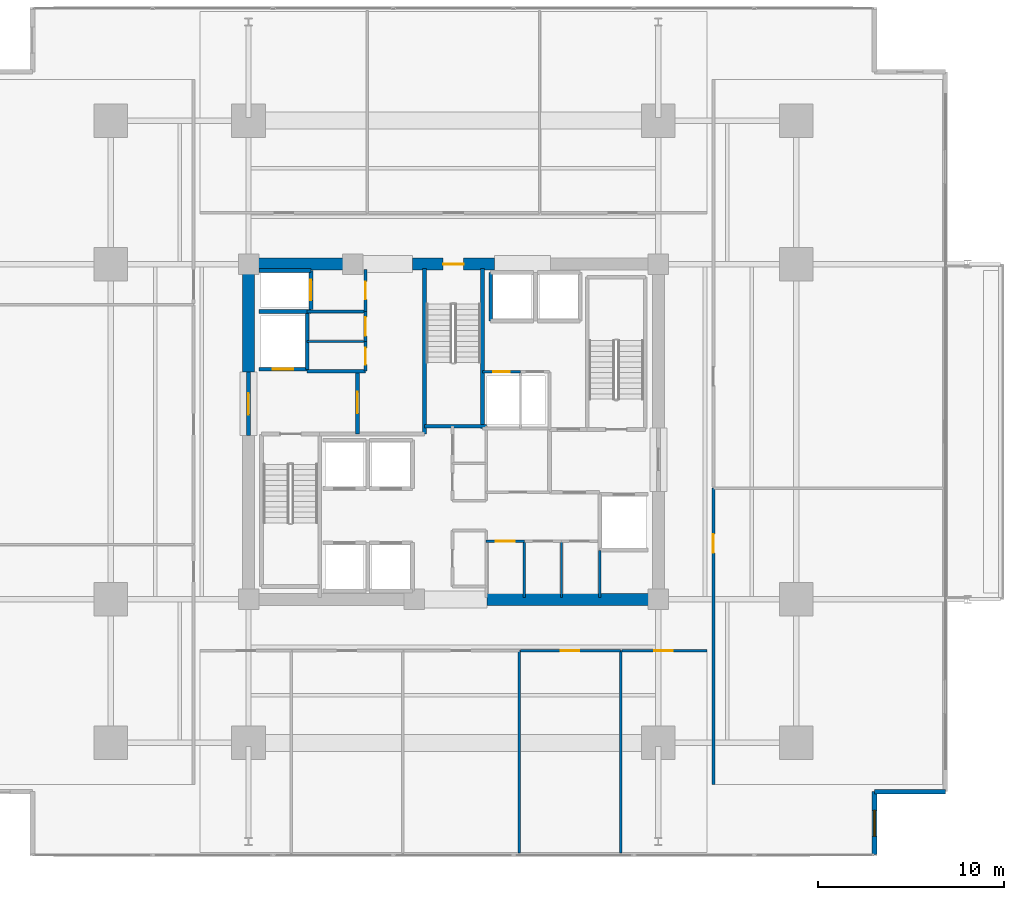
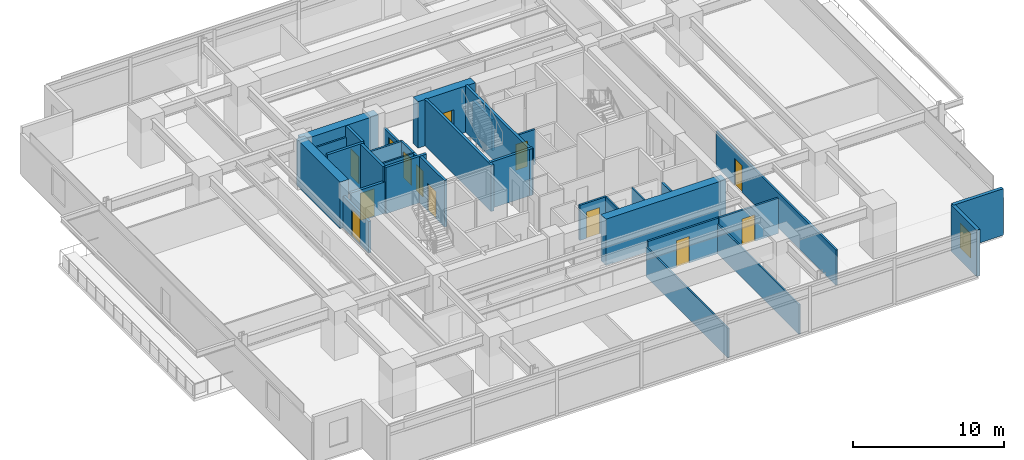
# One storey, part 16 of 22: 33 walls, 13 doors, 1 window, 14 openings.
"""IFC4 building model written with IfcOpenShell, lengths in metres."""

from ifc_helpers import new_model, si_unit, direction, frame, frame_2d, origin, place, context, subcontext, project, spatial, rectangle, extrude, material, layer, layer_set, type_object, element, fill, save


model = new_model("IFC4")

# Units and contexts
model_context = context("Model", 3, precision=1e-05, world=origin(), true_north=direction((0.0, 1.0)))
body_context = subcontext(model_context, "Body", "Model", "MODEL_VIEW")
ifc_project = project(units=[si_unit("LENGTHUNIT", "METRE"), si_unit("AREAUNIT", "SQUARE_METRE"), si_unit("VOLUMEUNIT", "CUBIC_METRE"), si_unit("PLANEANGLEUNIT", "RADIAN"), si_unit("MASSUNIT", "GRAM", prefix="KILO")], contexts=[model_context])

# Site, building, storey
site_placement = place(None, origin())
site = spatial("IfcSite", under=ifc_project, at=site_placement, CompositionType="ELEMENT")
building_placement = place(site_placement, origin())
building = spatial("IfcBuilding", under=site, at=building_placement, Name="Kovane Verandah Tower", CompositionType="ELEMENT")
storey_placement = place(building_placement, frame((0.0, 0.0, 99.60009765625)))
storey = spatial("IfcBuildingStorey", under=building, at=storey_placement, Name="L23", CompositionType="ELEMENT", Elevation=99.60009765625)

# Wall
ifc_material_1 = material(Name="Fire-Rated Gypsum Stud Partition", Category="gypsum")
ifc_layer_1 = layer(ifc_material_1, 0.14990234375)
ifc_layer_set_1 = layer_set([ifc_layer_1], Name="Fire-Rated Gypsum Stud Partition")
wall_type_1 = type_object("IfcWallType", Name="WL-COR-150", PredefinedType="PARTITIONING", material=ifc_layer_set_1)
wall_1_placement = place(storey_placement, frame((32.14990234375, 33.949951171875, 0.0), z_axis=(0.0, 0.0, 1.0), x_axis=(1.0, 0.0, 0.0)))
element("IfcWall", 1, at=wall_1_placement, inside=storey, type_object=wall_type_1, Name="L23 Goods Lift Lobby South Wall", PredefinedType="PARTITIONING", context=body_context, shape_type="SweptSolid", body=[
    extrude(rectangle(XDim=3.130126953125, YDim=0.14990234375, at=frame_2d((1.56494140625, 0.0))), origin(), (0.0, 0.0, 1.0), 2.849853515625),
])

# Wall, opening, door
wall_2_placement = place(storey_placement, frame((35.280029296875, 33.949951171875, 0.0), z_axis=(0.0, 0.0, 1.0), x_axis=(0.0, 1.0, 0.0)))
wall_2 = element("IfcWall", 2, at=wall_2_placement, inside=storey, type_object=wall_type_1, Name="L23 Goods Lift Lobby East Fire Partition", PredefinedType="PARTITIONING", context=body_context, shape_type="SweptSolid", body=[
    extrude(rectangle(XDim=2.27001953125, YDim=0.14990234375, at=frame_2d((1.135009765625, 0.0))), origin(), (0.0, 0.0, 1.0), 2.539794921875),
])
opening_1_placement = place(wall_2_placement, frame((0.659912109375, 0.0, 0.0)))
opening_1 = element("IfcOpeningElement", 3, at=opening_1_placement, cuts=wall_2, Name="Opening DR-L23-008", PredefinedType="OPENING", context=body_context, shape_type="SweptSolid", body=[
    extrude(rectangle(XDim=0.949951171875, YDim=2.14990234375, at=frame_2d((0.47509765625, 1.074951171875))), frame((0.0, 0.074951171875, 0.0), z_axis=(0.0, -1.0, 0.0), x_axis=(1.0, 0.0, 0.0)), (0.0, 0.0, 1.0), 0.14990234375),
])
ifc_material_2 = material(Name="Fire-Rated Steel Refuge and Lobby Door", Category="steel")
door_type_1 = type_object("IfcDoorType", Name="DR-FIRE-950", OperationType="SINGLE_SWING_LEFT", PredefinedType="DOOR", material=ifc_material_2)
door_1_placement = place(opening_1_placement, origin())
door_1 = element("IfcDoor", 4, at=door_1_placement, inside=storey, type_object=door_type_1, Name="L23 Goods Lift Lobby Fire Door", OperationType="SINGLE_SWING_RIGHT", OverallHeight=2.14990234375, OverallWidth=0.949951171875, PredefinedType="DOOR", context=body_context, shape_type="SweptSolid", body=[
    extrude(rectangle(XDim=0.949951171875, YDim=2.14990234375, at=frame_2d((0.47509765625, 1.074951171875))), frame((0.0, 0.02490234375, 0.0), z_axis=(0.0, -1.0, 0.0), x_axis=(1.0, 0.0, 0.0)), (0.0, 0.0, 1.0), 0.050048828125),
])
fill(opening_1, door_1)

wall_3_placement = place(storey_placement, frame((35.280029296875, 30.75, 0.0), z_axis=(0.0, 0.0, 1.0), x_axis=(0.0, 1.0, 0.0)))
wall_3 = element("IfcWall", 5, at=wall_3_placement, inside=storey, type_object=wall_type_1, Name="L23 Accessible Unisex Toilet Partition", PredefinedType="PARTITIONING", context=body_context, shape_type="SweptSolid", body=[
    extrude(rectangle(XDim=1.60009765625, YDim=0.14990234375, at=frame_2d((0.800048828125, 0.0))), origin(), (0.0, 0.0, 1.0), 2.849853515625),
])
opening_2_placement = place(wall_3_placement, frame((0.35009765625, 0.0, 0.0)))
opening_2 = element("IfcOpeningElement", 6, at=opening_2_placement, cuts=wall_3, Name="Opening DR-L23-030", PredefinedType="OPENING", context=body_context, shape_type="SweptSolid", body=[
    extrude(rectangle(XDim=0.89990234375, YDim=2.10009765625, at=frame_2d((0.449951171875, 1.050048828125))), frame((0.0, 0.074951171875, 0.0), z_axis=(0.0, -1.0, 0.0), x_axis=(1.0, 0.0, 0.0)), (0.0, 0.0, 1.0), 0.14990234375),
])
ifc_material_3 = material(Name="Moisture-Resistant Laminate Washroom Door", Category="wood")
door_type_2 = type_object("IfcDoorType", Name="DR-WC-900", OperationType="SINGLE_SWING_LEFT", PredefinedType="DOOR", material=ifc_material_3)
door_2_placement = place(opening_2_placement, origin())
door_2 = element("IfcDoor", 7, at=door_2_placement, inside=storey, type_object=door_type_2, Name="L23 Accessible Unisex Toilet Door", OperationType="SINGLE_SWING_LEFT", OverallHeight=2.10009765625, OverallWidth=0.89990234375, PredefinedType="DOOR", context=body_context, shape_type="SweptSolid", body=[
    extrude(rectangle(XDim=0.89990234375, YDim=2.10009765625, at=frame_2d((0.449951171875, 1.050048828125))), frame((0.0, 0.02490234375, 0.0), z_axis=(0.0, -1.0, 0.0), x_axis=(1.0, 0.0, 0.0)), (0.0, 0.0, 1.0), 0.050048828125),
])
fill(opening_2, door_2)

wall_4_placement = place(storey_placement, frame((35.280029296875, 32.35009765625, 0.0), z_axis=(0.0, 0.0, 1.0), x_axis=(0.0, 1.0, 0.0)))
wall_4 = element("IfcWall", 8, at=wall_4_placement, inside=storey, type_object=wall_type_1, Name="L23 North-West First Aid Room Partition", PredefinedType="PARTITIONING", context=body_context, shape_type="SweptSolid", body=[
    extrude(rectangle(XDim=1.599853515625, YDim=0.14990234375, at=frame_2d((0.7998046875, 0.0))), origin(), (0.0, 0.0, 1.0), 2.849853515625),
])
opening_3_placement = place(wall_4_placement, frame((0.300048828125, 0.0, 0.0)))
opening_3 = element("IfcOpeningElement", 9, at=opening_3_placement, cuts=wall_4, Name="Opening DR-L23-012", PredefinedType="OPENING", context=body_context, shape_type="SweptSolid", body=[
    extrude(rectangle(XDim=1.0, YDim=2.14990234375, at=frame_2d((0.5, 1.074951171875))), frame((0.0, 0.074951171875, 0.0), z_axis=(0.0, -1.0, 0.0), x_axis=(1.0, 0.0, 0.0)), (0.0, 0.0, 1.0), 0.14990234375),
])
ifc_material_4 = material(Name="FSC Spotted-Gum Timber Fire-Rated Office Door", Category="wood")
door_type_3 = type_object("IfcDoorType", Name="DR-OFF-1000", OperationType="SINGLE_SWING_LEFT", PredefinedType="DOOR", material=ifc_material_4)
door_3_placement = place(opening_3_placement, origin())
door_3 = element("IfcDoor", 10, at=door_3_placement, inside=storey, type_object=door_type_3, Name="L23 North-West First Aid Room Door", OperationType="SINGLE_SWING_RIGHT", OverallHeight=2.14990234375, OverallWidth=1.0, PredefinedType="DOOR", context=body_context, shape_type="SweptSolid", body=[
    extrude(rectangle(XDim=1.0, YDim=2.14990234375, at=frame_2d((0.5, 1.074951171875))), frame((0.0, 0.02490234375, 0.0), z_axis=(0.0, -1.0, 0.0), x_axis=(1.0, 0.0, 0.0)), (0.0, 0.0, 1.0), 0.050048828125),
])
fill(opening_3, door_3)

# Wall
wall_5_placement = place(storey_placement, frame((47.85009765625, 18.60009765625, 0.0), z_axis=(0.0, 0.0, 1.0), x_axis=(0.0, 1.0, 0.0)))
element("IfcWall", 11, at=wall_5_placement, inside=storey, type_object=wall_type_1, Name="L23 East Core Support East Wall", PredefinedType="PARTITIONING", context=body_context, shape_type="SweptSolid", body=[
    extrude(rectangle(XDim=2.539794921875, YDim=0.14990234375, at=frame_2d((1.27001953125, 0.0))), origin(), (0.0, 0.0, 1.0), 2.849853515625),
])

# Wall, opening, door
wall_6_placement = place(storey_placement, frame((41.760009765625, 21.6201171875, 0.0), z_axis=(0.0, 0.0, 1.0), x_axis=(1.0, 0.0, 0.0)))
wall_6 = element("IfcWall", 12, at=wall_6_placement, inside=storey, type_object=wall_type_1, Name="L23 Mail and Copy Room Partition", PredefinedType="PARTITIONING", context=body_context, shape_type="SweptSolid", body=[
    extrude(rectangle(XDim=2.0400390625, YDim=0.14990234375, at=frame_2d((1.02001953125, 0.0))), origin(), (0.0, 0.0, 1.0), 2.849853515625),
])
opening_4_placement = place(wall_6_placement, frame((0.52001953125, 0.0, 0.0)))
opening_4 = element("IfcOpeningElement", 13, at=opening_4_placement, cuts=wall_6, Name="Opening DR-L23-015", PredefinedType="OPENING", context=body_context, shape_type="SweptSolid", body=[
    extrude(rectangle(XDim=1.0, YDim=2.14990234375, at=frame_2d((0.5, 1.074951171875))), frame((0.0, 0.074951171875, 0.0), z_axis=(0.0, -1.0, 0.0), x_axis=(1.0, 0.0, 0.0)), (0.0, 0.0, 1.0), 0.14990234375),
])
door_4_placement = place(opening_4_placement, origin())
door_4 = element("IfcDoor", 14, at=door_4_placement, inside=storey, type_object=door_type_3, Name="L23 Mail and Copy Room Door", OperationType="SINGLE_SWING_LEFT", OverallHeight=2.14990234375, OverallWidth=1.0, PredefinedType="DOOR", context=body_context, shape_type="SweptSolid", body=[
    extrude(rectangle(XDim=1.0, YDim=2.14990234375, at=frame_2d((0.5, 1.074951171875))), frame((0.0, 0.02490234375, 0.0), z_axis=(0.0, -1.0, 0.0), x_axis=(1.0, 0.0, 0.0)), (0.0, 0.0, 1.0), 0.050048828125),
])
fill(opening_4, door_4)

wall_7_placement = place(storey_placement, frame((41.56005859375, 30.719970703125, 0.0), z_axis=(0.0, 0.0, 1.0), x_axis=(1.0, 0.0, 0.0)))
wall_7 = element("IfcWall", 15, at=wall_7_placement, inside=storey, type_object=wall_type_1, Name="L23 Electrical Sub-Main Riser Room Partition", PredefinedType="PARTITIONING", context=body_context, shape_type="SweptSolid", body=[
    extrude(rectangle(XDim=2.0400390625, YDim=0.14990234375, at=frame_2d((1.02001953125, 0.0))), origin(), (0.0, 0.0, 1.0), 2.849853515625),
])
opening_5_placement = place(wall_7_placement, frame((0.580078125, 0.0, 0.0)))
opening_5 = element("IfcOpeningElement", 16, at=opening_5_placement, cuts=wall_7, Name="Opening DR-L23-019", PredefinedType="OPENING", context=body_context, shape_type="SweptSolid", body=[
    extrude(rectangle(XDim=0.8798828125, YDim=2.10009765625, at=frame_2d((0.43994140625, 1.050048828125))), frame((0.0, 0.074951171875, 0.0), z_axis=(0.0, -1.0, 0.0), x_axis=(1.0, 0.0, 0.0)), (0.0, 0.0, 1.0), 0.14990234375),
])
ifc_material_5 = material(Name="Fire-Rated Steel Riser Access Door", Category="steel")
door_type_4 = type_object("IfcDoorType", Name="DR-RISER-880", OperationType="SINGLE_SWING_LEFT", PredefinedType="DOOR", material=ifc_material_5)
door_5_placement = place(opening_5_placement, origin())
door_5 = element("IfcDoor", 17, at=door_5_placement, inside=storey, type_object=door_type_4, Name="L23 Electrical Sub-Main Riser Room Door", OperationType="SINGLE_SWING_LEFT", OverallHeight=2.10009765625, OverallWidth=0.8798828125, PredefinedType="DOOR", context=body_context, shape_type="SweptSolid", body=[
    extrude(rectangle(XDim=0.8798828125, YDim=2.10009765625, at=frame_2d((0.43994140625, 1.050048828125))), frame((0.0, 0.02490234375, 0.0), z_axis=(0.0, -1.0, 0.0), x_axis=(1.0, 0.0, 0.0)), (0.0, 0.0, 1.0), 0.050048828125),
])
fill(opening_5, door_5)

wall_8_placement = place(storey_placement, frame((43.60595703125, 15.75, 0.0), z_axis=(0.0, 0.0, 1.0), x_axis=(1.0, 0.0, 0.0)))
wall_8 = element("IfcWall", 18, at=wall_8_placement, inside=storey, type_object=wall_type_1, Name="L23 Collaboration Hub S4 Corridor Partition", PredefinedType="PARTITIONING", context=body_context, shape_type="SweptSolid", body=[
    extrude(rectangle(XDim=5.3701171875, YDim=0.14990234375, at=frame_2d((2.68505859375, 0.0))), origin(), (0.0, 0.0, 1.0), 2.849853515625),
])
opening_6_placement = place(wall_8_placement, frame((2.14990234375, 0.0, 0.0)))
opening_6 = element("IfcOpeningElement", 19, at=opening_6_placement, cuts=wall_8, Name="Opening DR-L23-027", PredefinedType="OPENING", context=body_context, shape_type="SweptSolid", body=[
    extrude(rectangle(XDim=1.0, YDim=2.14990234375, at=frame_2d((0.5, 1.074951171875))), frame((0.0, 0.074951171875, 0.0), z_axis=(0.0, -1.0, 0.0), x_axis=(1.0, 0.0, 0.0)), (0.0, 0.0, 1.0), 0.14990234375),
])
door_6_placement = place(opening_6_placement, origin())
door_6 = element("IfcDoor", 20, at=door_6_placement, inside=storey, type_object=door_type_3, Name="L23 Collaboration Hub S4 Entrance Door", OperationType="SINGLE_SWING_LEFT", OverallHeight=2.14990234375, OverallWidth=1.0, PredefinedType="DOOR", context=body_context, shape_type="SweptSolid", body=[
    extrude(rectangle(XDim=1.0, YDim=2.14990234375, at=frame_2d((0.5, 1.074951171875))), frame((0.0, 0.02490234375, 0.0), z_axis=(0.0, -1.0, 0.0), x_axis=(1.0, 0.0, 0.0)), (0.0, 0.0, 1.0), 0.050048828125),
])
fill(opening_6, door_6)

wall_9_placement = place(storey_placement, frame((49.0458984375, 15.75, 0.0), z_axis=(0.0, 0.0, 1.0), x_axis=(1.0, 0.0, 0.0)))
wall_9 = element("IfcWall", 21, at=wall_9_placement, inside=storey, type_object=wall_type_1, Name="L23 Document and Print Room S5 Corridor Partition", PredefinedType="PARTITIONING", context=body_context, shape_type="SweptSolid", body=[
    extrude(rectangle(XDim=4.55419921875, YDim=0.14990234375, at=frame_2d((2.277099609375, 0.0))), origin(), (0.0, 0.0, 1.0), 2.849853515625),
])
opening_7_placement = place(wall_9_placement, frame((1.72705078125, 0.0, 0.0)))
opening_7 = element("IfcOpeningElement", 22, at=opening_7_placement, cuts=wall_9, Name="Opening DR-L23-028", PredefinedType="OPENING", context=body_context, shape_type="SweptSolid", body=[
    extrude(rectangle(XDim=1.0, YDim=2.14990234375, at=frame_2d((0.5, 1.074951171875))), frame((0.0, 0.074951171875, 0.0), z_axis=(0.0, -1.0, 0.0), x_axis=(1.0, 0.0, 0.0)), (0.0, 0.0, 1.0), 0.14990234375),
])
door_7_placement = place(opening_7_placement, origin())
door_7 = element("IfcDoor", 23, at=door_7_placement, inside=storey, type_object=door_type_3, Name="L23 Document and Print Room S5 Entrance Door", OperationType="SINGLE_SWING_RIGHT", OverallHeight=2.14990234375, OverallWidth=1.0, PredefinedType="DOOR", context=body_context, shape_type="SweptSolid", body=[
    extrude(rectangle(XDim=1.0, YDim=2.14990234375, at=frame_2d((0.5, 1.074951171875))), frame((0.0, 0.02490234375, 0.0), z_axis=(0.0, -1.0, 0.0), x_axis=(1.0, 0.0, 0.0)), (0.0, 0.0, 1.0), 0.050048828125),
])
fill(opening_7, door_7)

wall_10_placement = place(storey_placement, frame((53.949951171875, 8.5810546875, 0.0), z_axis=(0.0, 0.0, 1.0), x_axis=(0.0, 1.0, 0.0)))
wall_10 = element("IfcWall", 24, at=wall_10_placement, inside=storey, type_object=wall_type_1, Name="L23 Meeting Room E1 Corridor Partition", PredefinedType="PARTITIONING", context=body_context, shape_type="SweptSolid", body=[
    extrude(rectangle(XDim=15.891845703125, YDim=0.14990234375, at=frame_2d((7.94580078125, 0.0))), origin(), (0.0, 0.0, 1.0), 2.849853515625),
])
opening_8_placement = place(wall_10_placement, frame((12.42041015625, 0.0, 0.0)))
opening_8 = element("IfcOpeningElement", 25, at=opening_8_placement, cuts=wall_10, Name="Opening DR-L23-013", PredefinedType="OPENING", context=body_context, shape_type="SweptSolid", body=[
    extrude(rectangle(XDim=1.0, YDim=2.14990234375, at=frame_2d((0.5, 1.074951171875))), frame((0.0, 0.074951171875, 0.0), z_axis=(0.0, -1.0, 0.0), x_axis=(1.0, 0.0, 0.0)), (0.0, 0.0, 1.0), 0.14990234375),
])
door_8_placement = place(opening_8_placement, origin())
door_8 = element("IfcDoor", 26, at=door_8_placement, inside=storey, type_object=door_type_3, Name="L23 Meeting Room E1 Entrance Door", OperationType="SINGLE_SWING_RIGHT", OverallHeight=2.14990234375, OverallWidth=1.0, PredefinedType="DOOR", context=body_context, shape_type="SweptSolid", body=[
    extrude(rectangle(XDim=1.0, YDim=2.14990234375, at=frame_2d((0.5, 1.074951171875))), frame((0.0, 0.02490234375, 0.0), z_axis=(0.0, -1.0, 0.0), x_axis=(1.0, 0.0, 0.0)), (0.0, 0.0, 1.0), 0.050048828125),
])
fill(opening_8, door_8)

# Walls
ifc_material_6 = material(Name="Concrete C80/95", Category="concrete")
ifc_layer_2 = layer(ifc_material_6, 0.64990234375)
ifc_layer_set_2 = layer_set([ifc_layer_2], Name="Concrete C80/95")
wall_type_2 = type_object("IfcWallType", Name="WL-CORE-650", PredefinedType="SHEAR", material=ifc_layer_set_2)
wall_11_placement = place(storey_placement, frame((41.800048828125, 18.5, 0.0), z_axis=(0.0, 0.0, 1.0), x_axis=(1.0, 0.0, 0.0)))
element("IfcWall", 27, at=wall_11_placement, inside=storey, type_object=wall_type_2, Name="L23 Core Shear Wall CS-2", PredefinedType="SHEAR", context=body_context, shape_type="SweptSolid", body=[
    extrude(rectangle(XDim=9.199951171875, YDim=0.64990234375, at=frame_2d((4.60009765625, 0.0))), origin(), (0.0, 0.0, 1.0), 3.760009765625),
])
wall_12_placement = place(storey_placement, frame((29.0, 36.5, 0.0), z_axis=(0.0, 0.0, 1.0), x_axis=(1.0, 0.0, 0.0)))
element("IfcWall", 28, at=wall_12_placement, inside=storey, type_object=wall_type_2, Name="L23 Core Shear Wall CN-1", PredefinedType="SHEAR", context=body_context, shape_type="SweptSolid", body=[
    extrude(rectangle(XDim=5.800048828125, YDim=0.64990234375, at=frame_2d((2.89990234375, 0.0))), origin(), (0.0, 0.0, 1.0), 3.760009765625),
])

# Wall, opening, door
wall_13_placement = place(storey_placement, frame((37.800048828125, 36.5, 0.0), z_axis=(0.0, 0.0, 1.0), x_axis=(1.0, 0.0, 0.0)))
wall_13 = element("IfcWall", 29, at=wall_13_placement, inside=storey, type_object=wall_type_2, Name="L23 Core Shear Wall CN-2", PredefinedType="SHEAR", context=body_context, shape_type="SweptSolid", body=[
    extrude(rectangle(XDim=4.39990234375, YDim=0.64990234375, at=frame_2d((2.199951171875, 0.0))), origin(), (0.0, 0.0, 1.0), 3.760009765625),
])
opening_9_placement = place(wall_13_placement, frame((1.64990234375, 0.0, 0.0)))
opening_9 = element("IfcOpeningElement", 30, at=opening_9_placement, cuts=wall_13, Name="Opening DR-L23-011", PredefinedType="OPENING", context=body_context, shape_type="SweptSolid", body=[
    extrude(rectangle(XDim=1.10009765625, YDim=2.14990234375, at=frame_2d((0.550048828125, 1.074951171875))), frame((0.0, 0.324951171875, 0.0), z_axis=(0.0, -1.0, 0.0), x_axis=(1.0, 0.0, 0.0)), (0.0, 0.0, 1.0), 0.64990234375),
])
ifc_material_7 = material(Name="Fire-Rated Steel Exit Door", Category="steel")
door_type_5 = type_object("IfcDoorType", Name="DR-STAIR-1100", OperationType="SINGLE_SWING_LEFT", PredefinedType="DOOR", material=ifc_material_7)
door_9_placement = place(opening_9_placement, origin())
door_9 = element("IfcDoor", 31, at=door_9_placement, inside=storey, type_object=door_type_5, Name="L23 ST-03 Fire Exit Stair Door", OperationType="SINGLE_SWING_RIGHT", OverallHeight=2.14990234375, OverallWidth=1.10009765625, PredefinedType="DOOR", context=body_context, shape_type="SweptSolid", body=[
    extrude(rectangle(XDim=1.10009765625, YDim=2.14990234375, at=frame_2d((0.550048828125, 1.074951171875))), frame((0.0, 0.02490234375, 0.0), z_axis=(0.0, -1.0, 0.0), x_axis=(1.0, 0.0, 0.0)), (0.0, 0.0, 1.0), 0.050048828125),
])
fill(opening_9, door_9)

# Wall
wall_14_placement = place(storey_placement, frame((29.0, 30.699951171875, 0.0), z_axis=(0.0, 0.0, 1.0), x_axis=(0.0, 1.0, 0.0)))
element("IfcWall", 32, at=wall_14_placement, inside=storey, type_object=wall_type_2, Name="L23 Core Shear Wall CW-2", PredefinedType="SHEAR", context=body_context, shape_type="SweptSolid", body=[
    extrude(rectangle(XDim=5.800048828125, YDim=0.64990234375, at=frame_2d((2.89990234375, 0.0))), origin(), (0.0, 0.0, 1.0), 3.760009765625),
])

# Wall, opening, door
ifc_material_8 = material(Name="Concrete C45/55 Fire Wall", Category="concrete")
ifc_layer_3 = layer(ifc_material_8, 0.199951171875)
ifc_layer_set_3 = layer_set([ifc_layer_3], Name="Concrete C45/55 Fire Wall")
wall_type_3 = type_object("IfcWallType", Name="WL-FFL-200", PredefinedType="PARTITIONING", material=ifc_layer_set_3)
wall_15_placement = place(storey_placement, frame((34.85009765625, 27.3798828125, 0.0), z_axis=(0.0, 0.0, 1.0), x_axis=(0.0, 1.0, 0.0)))
wall_15 = element("IfcWall", 33, at=wall_15_placement, inside=storey, type_object=wall_type_3, Name="W-L23-FFLW-E", PredefinedType="PARTITIONING", context=body_context, shape_type="SweptSolid", body=[
    extrude(rectangle(XDim=3.3701171875, YDim=0.199951171875, at=frame_2d((1.68505859375, 0.0))), origin(), (0.0, 0.0, 1.0), 3.760009765625),
])
opening_10_placement = place(wall_15_placement, frame((1.110107421875, 0.0, 0.0)))
opening_10 = element("IfcOpeningElement", 34, at=opening_10_placement, cuts=wall_15, Name="Opening DR-L23-006", PredefinedType="OPENING", context=body_context, shape_type="SweptSolid", body=[
    extrude(rectangle(XDim=1.14990234375, YDim=2.199951171875, at=frame_2d((0.574951171875, 1.10009765625))), frame((0.0, 0.10009765625, 0.0), z_axis=(0.0, -1.0, 0.0), x_axis=(1.0, 0.0, 0.0)), (0.0, 0.0, 1.0), 0.199951171875),
])
ifc_material_9 = material(Name="Smoke-Sealed Firefighting Lobby Door", Category="steel")
door_type_6 = type_object("IfcDoorType", Name="DR-FFL-1150", OperationType="SINGLE_SWING_LEFT", PredefinedType="DOOR", material=ifc_material_9)
door_10_placement = place(opening_10_placement, origin())
door_10 = element("IfcDoor", 35, at=door_10_placement, inside=storey, type_object=door_type_6, Name="L23 West Firefighting Lobby Inner Door", OperationType="SINGLE_SWING_LEFT", OverallHeight=2.199951171875, OverallWidth=1.14990234375, PredefinedType="DOOR", context=body_context, shape_type="SweptSolid", body=[
    extrude(rectangle(XDim=1.14990234375, YDim=2.199951171875, at=frame_2d((0.574951171875, 1.10009765625))), frame((0.0, 0.02490234375, 0.0), z_axis=(0.0, -1.0, 0.0), x_axis=(1.0, 0.0, 0.0)), (0.0, 0.0, 1.0), 0.050048828125),
])
fill(opening_10, door_10)

wall_16_placement = place(storey_placement, frame((29.0, 27.300048828125, 0.0), z_axis=(0.0, 0.0, 1.0), x_axis=(0.0, 1.0, 0.0)))
wall_16 = element("IfcWall", 36, at=wall_16_placement, inside=storey, type_object=wall_type_3, Name="W-L23-FFLW-OUT", PredefinedType="PARTITIONING", context=body_context, shape_type="SweptSolid", body=[
    extrude(rectangle(XDim=3.39990234375, YDim=0.199951171875, at=frame_2d((1.699951171875, 0.0))), origin(), (0.0, 0.0, 1.0), 2.539794921875),
])
opening_11_placement = place(wall_16_placement, frame((1.125, 0.0, 0.0)))
opening_11 = element("IfcOpeningElement", 37, at=opening_11_placement, cuts=wall_16, Name="Opening DR-L23-007", PredefinedType="OPENING", context=body_context, shape_type="SweptSolid", body=[
    extrude(rectangle(XDim=1.14990234375, YDim=2.199951171875, at=frame_2d((0.574951171875, 1.10009765625))), frame((0.0, 0.10009765625, 0.0), z_axis=(0.0, -1.0, 0.0), x_axis=(1.0, 0.0, 0.0)), (0.0, 0.0, 1.0), 0.199951171875),
])
door_11_placement = place(opening_11_placement, origin())
door_11 = element("IfcDoor", 38, at=door_11_placement, inside=storey, type_object=door_type_6, Name="L23 West Firefighting Lobby Corridor Door", OperationType="SINGLE_SWING_RIGHT", OverallHeight=2.199951171875, OverallWidth=1.14990234375, PredefinedType="DOOR", context=body_context, shape_type="SweptSolid", body=[
    extrude(rectangle(XDim=1.14990234375, YDim=2.199951171875, at=frame_2d((0.574951171875, 1.10009765625))), frame((0.0, 0.02490234375, 0.0), z_axis=(0.0, -1.0, 0.0), x_axis=(1.0, 0.0, 0.0)), (0.0, 0.0, 1.0), 0.050048828125),
])
fill(opening_11, door_11)

# Wall
wall_17_placement = place(storey_placement, frame((32.14990234375, 30.75, 0.0), z_axis=(0.0, 0.0, 1.0), x_axis=(1.0, 0.0, 0.0)))
element("IfcWall", 39, at=wall_17_placement, inside=storey, type_object=wall_type_3, Name="L23 West Firefighting Lobby North Fire Wall", PredefinedType="PARTITIONING", context=body_context, shape_type="SweptSolid", body=[
    extrude(rectangle(XDim=3.130126953125, YDim=0.199951171875, at=frame_2d((1.56494140625, 0.0))), origin(), (0.0, 0.0, 1.0), 3.760009765625),
])

# Wall, opening, door
ifc_material_10 = material(Name="Concrete C45/55 Lift Shaft Wall", Category="concrete")
ifc_layer_4 = layer(ifc_material_10, 0.199951171875)
ifc_layer_set_4 = layer_set([ifc_layer_4], Name="Concrete C45/55 Lift Shaft Wall")
wall_type_4 = type_object("IfcWallType", Name="WL-LIFT-200", PredefinedType="SOLIDWALL", material=ifc_layer_set_4)
wall_18_placement = place(storey_placement, frame((29.550048828125, 30.85009765625, 0.0), z_axis=(0.0, 0.0, 1.0), x_axis=(1.0, 0.0, 0.0)))
wall_18 = element("IfcWall", 40, at=wall_18_placement, inside=storey, type_object=wall_type_4, Name="L23 Lift FL-01 S Shaft Wall", PredefinedType="SOLIDWALL", context=body_context, shape_type="SweptSolid", body=[
    extrude(rectangle(XDim=2.599853515625, YDim=0.199951171875, at=frame_2d((1.2998046875, 0.0))), origin(), (0.0, 0.0, 1.0), 2.539794921875),
])
opening_12_placement = place(wall_18_placement, frame((0.75, 0.0, 0.0)))
opening_12 = element("IfcOpeningElement", 41, at=opening_12_placement, cuts=wall_18, Name="Opening LD-L23-001", PredefinedType="OPENING", context=body_context, shape_type="SweptSolid", body=[
    extrude(rectangle(XDim=1.10009765625, YDim=2.199951171875, at=frame_2d((0.550048828125, 1.10009765625))), frame((0.0, 0.10009765625, 0.0), z_axis=(0.0, -1.0, 0.0), x_axis=(1.0, 0.0, 0.0)), (0.0, 0.0, 1.0), 0.199951171875),
])
ifc_material_11 = material(Name="Brushed Stainless Steel Sliding Lift Landing Door", Category="steel")
door_type_7 = type_object("IfcDoorType", Name="DR-LIFT-1100", OperationType="SLIDING_TO_RIGHT", PredefinedType="DOOR", material=ifc_material_11)
door_12_placement = place(opening_12_placement, origin())
door_12 = element("IfcDoor", 42, at=door_12_placement, inside=storey, type_object=door_type_7, Name="L23 Lift FL-01 Sliding Landing Door", OperationType="SLIDING_TO_RIGHT", OverallHeight=2.199951171875, OverallWidth=1.10009765625, PredefinedType="DOOR", context=body_context, shape_type="SweptSolid", body=[
    extrude(rectangle(XDim=1.10009765625, YDim=2.199951171875, at=frame_2d((0.550048828125, 1.10009765625))), frame((0.0, 0.02490234375, 0.0), z_axis=(0.0, -1.0, 0.0), x_axis=(1.0, 0.0, 0.0)), (0.0, 0.0, 1.0), 0.050048828125),
])
fill(opening_12, door_12)

# Walls
wall_19_placement = place(storey_placement, frame((29.550048828125, 33.949951171875, 0.0), z_axis=(0.0, 0.0, 1.0), x_axis=(1.0, 0.0, 0.0)))
element("IfcWall", 43, at=wall_19_placement, inside=storey, type_object=wall_type_4, Name="L23 Lift FL-01 and GL-01 Shared Shaft Wall", PredefinedType="SOLIDWALL", context=body_context, shape_type="SweptSolid", body=[
    extrude(rectangle(XDim=2.800048828125, YDim=0.199951171875, at=frame_2d((1.39990234375, 0.0))), origin(), (0.0, 0.0, 1.0), 3.760009765625),
])
wall_20_placement = place(storey_placement, frame((32.14990234375, 30.85009765625, 0.0), z_axis=(0.0, 0.0, 1.0), x_axis=(0.0, 1.0, 0.0)))
element("IfcWall", 44, at=wall_20_placement, inside=storey, type_object=wall_type_4, Name="L23 Lift FL-01 E Shaft Wall", PredefinedType="SOLIDWALL", context=body_context, shape_type="SweptSolid", body=[
    extrude(rectangle(XDim=3.0, YDim=0.199951171875, at=frame_2d((1.5, 0.0))), origin(), (0.0, 0.0, 1.0), 3.760009765625),
])
wall_21_placement = place(storey_placement, frame((32.35009765625, 36.14990234375, 0.0), z_axis=(0.0, 0.0, 1.0), x_axis=(-1.0, 0.0, 0.0)))
element("IfcWall", 45, at=wall_21_placement, inside=storey, type_object=wall_type_4, Name="L23 Lift GL-01 N Shaft Wall", PredefinedType="SOLIDWALL", context=body_context, shape_type="SweptSolid", body=[
    extrude(rectangle(XDim=2.800048828125, YDim=0.199951171875, at=frame_2d((1.39990234375, 0.0))), origin(), (0.0, 0.0, 1.0), 2.88916015625),
])

# Wall, opening, door
wall_22_placement = place(storey_placement, frame((32.35009765625, 34.050048828125, 0.0), z_axis=(0.0, 0.0, 1.0), x_axis=(0.0, 1.0, 0.0)))
wall_22 = element("IfcWall", 46, at=wall_22_placement, inside=storey, type_object=wall_type_4, Name="L23 Lift GL-01 E Shaft Wall", PredefinedType="SOLIDWALL", context=body_context, shape_type="SweptSolid", body=[
    extrude(rectangle(XDim=2.099853515625, YDim=0.199951171875, at=frame_2d((1.0498046875, 0.0))), origin(), (0.0, 0.0, 1.0), 3.760009765625),
])
opening_13_placement = place(wall_22_placement, frame((0.5, 0.0, 0.0)))
opening_13 = element("IfcOpeningElement", 47, at=opening_13_placement, cuts=wall_22, Name="Opening LD-L23-003", PredefinedType="OPENING", context=body_context, shape_type="SweptSolid", body=[
    extrude(rectangle(XDim=1.10009765625, YDim=2.199951171875, at=frame_2d((0.550048828125, 1.10009765625))), frame((0.0, 0.10009765625, 0.0), z_axis=(0.0, -1.0, 0.0), x_axis=(1.0, 0.0, 0.0)), (0.0, 0.0, 1.0), 0.199951171875),
])
door_13_placement = place(opening_13_placement, origin())
door_13 = element("IfcDoor", 48, at=door_13_placement, inside=storey, type_object=door_type_7, Name="L23 Lift GL-01 Sliding Landing Door", OperationType="SLIDING_TO_RIGHT", OverallHeight=2.199951171875, OverallWidth=1.10009765625, PredefinedType="DOOR", context=body_context, shape_type="SweptSolid", body=[
    extrude(rectangle(XDim=1.10009765625, YDim=2.199951171875, at=frame_2d((0.550048828125, 1.10009765625))), frame((0.0, 0.02490234375, 0.0), z_axis=(0.0, -1.0, 0.0), x_axis=(1.0, 0.0, 0.0)), (0.0, 0.0, 1.0), 0.050048828125),
])
fill(opening_13, door_13)

# Walls
wall_23_placement = place(storey_placement, frame((42.0, 36.050048828125, 0.0), z_axis=(0.0, 0.0, 1.0), x_axis=(0.0, -1.0, 0.0)))
element("IfcWall", 49, at=wall_23_placement, inside=storey, type_object=wall_type_4, Name="L23 Lift SL-01 W Shaft Wall", PredefinedType="SOLIDWALL", context=body_context, shape_type="SweptSolid", body=[
    extrude(rectangle(XDim=2.60009765625, YDim=0.199951171875, at=frame_2d((1.300048828125, 0.0))), origin(), (0.0, 0.0, 1.0), 2.539794921875),
])
ifc_material_12 = material(Name="Acoustic Fire-Rated Gypsum Partition", Category="gypsum")
ifc_layer_5 = layer(ifc_material_12, 0.1201171875)
ifc_layer_set_5 = layer_set([ifc_layer_5], Name="Acoustic Fire-Rated Gypsum Partition")
wall_type_5 = type_object("IfcWallType", Name="WL-PART-120", PredefinedType="PARTITIONING", material=ifc_layer_set_5)
wall_24_placement = place(storey_placement, frame((32.14990234375, 32.35009765625, 0.0), z_axis=(0.0, 0.0, 1.0), x_axis=(1.0, 0.0, 0.0)))
element("IfcWall", 50, at=wall_24_placement, inside=storey, type_object=wall_type_5, Name="L23 Accessible Washroom and Support Dividing Partition", PredefinedType="PARTITIONING", context=body_context, shape_type="SweptSolid", body=[
    extrude(rectangle(XDim=3.130126953125, YDim=0.1201171875, at=frame_2d((1.56494140625, 0.0))), origin(), (0.0, 0.0, 1.0), 2.849853515625),
])
for number, where, z_axis, x_axis, name in (
    (51, (43.800048828125, 18.60009765625, 0.0), (0.0, 0.0, 1.0), (0.0, 1.0, 0.0), "L23 East Core Support Dividing Partition 1"),
    (52, (45.800048828125, 18.60009765625, 0.0), (0.0, 0.0, 1.0), (0.0, 1.0, 0.0), "L23 East Core Support Dividing Partition 2"),
):
    element("IfcWall", number, at=place(storey_placement, frame(where, z_axis=z_axis, x_axis=x_axis)), inside=storey, type_object=wall_type_5, Name=name, PredefinedType="PARTITIONING", context=body_context, shape_type="SweptSolid", body=[
        extrude(rectangle(XDim=3.02001953125, YDim=0.1201171875, at=frame_2d((1.510009765625, 0.0))), origin(), (0.0, 0.0, 1.0), 2.849853515625),
    ])
for number, where, z_axis, x_axis, name in (
    (53, (43.535888671875, 4.881103515625, 0.0), (0.0, 0.0, 1.0), (0.0, 1.0, 0.0), "L23 Breakout Pantry S3 Dividing Partition"),
    (54, (48.97607421875, 4.881103515625, 0.0), (0.0, 0.0, 1.0), (0.0, 1.0, 0.0), "L23 Collaboration Hub S4 Dividing Partition"),
):
    element("IfcWall", number, at=place(storey_placement, frame(where, z_axis=z_axis, x_axis=x_axis)), inside=storey, type_object=wall_type_5, Name=name, PredefinedType="PARTITIONING", context=body_context, shape_type="SweptSolid", body=[
        extrude(rectangle(XDim=10.868896484375, YDim=0.1201171875, at=frame_2d((5.4345703125, 0.0))), origin(), (0.0, 0.0, 1.0), 2.389892578125),
    ])
ifc_material_13 = material(Name="Concrete C45/55", Category="concrete")
ifc_layer_6 = layer(ifc_material_13, 0.199951171875)
ifc_layer_set_6 = layer_set([ifc_layer_6], Name="Concrete C45/55")
wall_type_6 = type_object("IfcWallType", Name="WL-SHAFT-200", PredefinedType="SOLIDWALL", material=ifc_layer_set_6)
wall_25_placement = place(storey_placement, frame((38.43994140625, 27.3798828125, 0.0), z_axis=(0.0, 0.0, 1.0), x_axis=(0.0, 1.0, 0.0)))
element("IfcWall", 55, at=wall_25_placement, inside=storey, type_object=wall_type_6, Name="W-L23-ST03-W", PredefinedType="SOLIDWALL", context=body_context, shape_type="SweptSolid", body=[
    extrude(rectangle(XDim=8.8701171875, YDim=0.199951171875, at=frame_2d((4.43505859375, 0.0))), origin(), (0.0, 0.0, 1.0), 3.760009765625),
])
wall_26_placement = place(storey_placement, frame((41.56005859375, 27.679931640625, 0.0), z_axis=(0.0, 0.0, 1.0), x_axis=(0.0, 1.0, 0.0)))
element("IfcWall", 56, at=wall_26_placement, inside=storey, type_object=wall_type_6, Name="W-L23-ST03-E", PredefinedType="SOLIDWALL", context=body_context, shape_type="SweptSolid", body=[
    extrude(rectangle(XDim=8.570068359375, YDim=0.199951171875, at=frame_2d((4.28515625, 0.0))), origin(), (0.0, 0.0, 1.0), 3.760009765625),
])
wall_27_placement = place(storey_placement, frame((38.43994140625, 27.800048828125, 0.0), z_axis=(0.0, 0.0, 1.0), x_axis=(1.0, 0.0, 0.0)))
element("IfcWall", 57, at=wall_27_placement, inside=storey, type_object=wall_type_6, Name="W-L23-ST03-S", PredefinedType="SOLIDWALL", context=body_context, shape_type="SweptSolid", body=[
    extrude(rectangle(XDim=3.320068359375, YDim=0.199951171875, at=frame_2d((1.66015625, 0.0))), origin(), (0.0, 0.0, 1.0), 3.760009765625),
])

# Wall, opening, window
ifc_material_14 = material(Name="Concrete C45/55 Insulated Spandrel Wall", Category="concrete")
ifc_layer_7 = layer(ifc_material_14, 0.260009765625)
ifc_layer_set_7 = layer_set([ifc_layer_7], Name="Concrete C45/55 Insulated Spandrel Wall")
wall_type_7 = type_object("IfcWallType", Name="WL-SPANDREL-260", PredefinedType="PARAPET", material=ifc_layer_set_7)
wall_28_placement = place(storey_placement, frame((62.5986328125, 4.781005859375, 0.0), z_axis=(0.0, 0.0, 1.0), x_axis=(0.0, 1.0, 0.0)))
wall_28 = element("IfcWall", 58, at=wall_28_placement, inside=storey, type_object=wall_type_7, Name="L23 SE Notch Cheek Wall 1", PredefinedType="PARAPET", context=body_context, shape_type="SweptSolid", body=[
    extrude(rectangle(XDim=3.39990234375, YDim=0.260009765625, at=frame_2d((1.699951171875, 0.0))), origin(), (0.0, 0.0, 1.0), 3.760009765625),
])
opening_14_placement = place(wall_28_placement, frame((1.0, 0.0, 0.85009765625)))
opening_14 = element("IfcOpeningElement", 59, at=opening_14_placement, cuts=wall_28, Name="Opening W-01", PredefinedType="OPENING", context=body_context, shape_type="SweptSolid", body=[
    extrude(rectangle(XDim=1.39990234375, YDim=2.0, at=frame_2d((0.699951171875, 1.0))), frame((0.0, 0.1298828125, 0.0), z_axis=(0.0, -1.0, 0.0), x_axis=(1.0, 0.0, 0.0)), (0.0, 0.0, 1.0), 0.260009765625),
])
ifc_material_15 = material(Name="Clear Low-E Laminated Double Glazing in Anodised Frame", Category="glass")
window_type = type_object("IfcWindowType", Name="WN-OPER-1400x2000", PartitioningType="SINGLE_PANEL", PredefinedType="WINDOW", material=ifc_material_15)
window_placement = place(opening_14_placement, origin())
window = element("IfcWindow", 60, at=window_placement, inside=storey, type_object=window_type, Name="L23 SE Re-Entrant Corner Operable Window", OverallHeight=2.0, OverallWidth=1.39990234375, PartitioningType="SINGLE_PANEL", PredefinedType="WINDOW", context=body_context, shape_type="SweptSolid", body=[
    extrude(rectangle(XDim=1.39990234375, YDim=2.0, at=frame_2d((0.699951171875, 1.0))), frame((0.0, 0.030029296875, 0.0), z_axis=(0.0, -1.0, 0.0), x_axis=(1.0, 0.0, 0.0)), (0.0, 0.0, 1.0), 0.06005859375),
])
fill(opening_14, window)

# Wall
wall_29_placement = place(storey_placement, frame((62.5986328125, 8.180908203125, 0.0), z_axis=(0.0, 0.0, 1.0), x_axis=(1.0, 0.0, 0.0)))
element("IfcWall", 61, at=wall_29_placement, inside=storey, type_object=wall_type_7, Name="L23 SE Notch Cheek Wall 2", PredefinedType="PARAPET", context=body_context, shape_type="SweptSolid", body=[
    extrude(rectangle(XDim=3.800048828125, YDim=0.260009765625, at=frame_2d((1.89990234375, 0.0))), origin(), (0.0, 0.0, 1.0), 3.760009765625),
])

save(model, "model.ifc")
